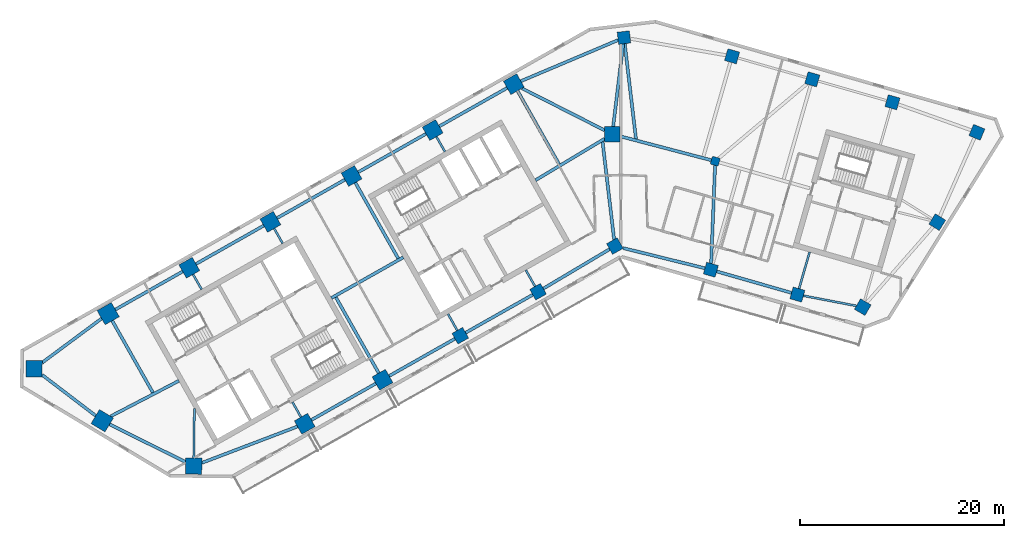
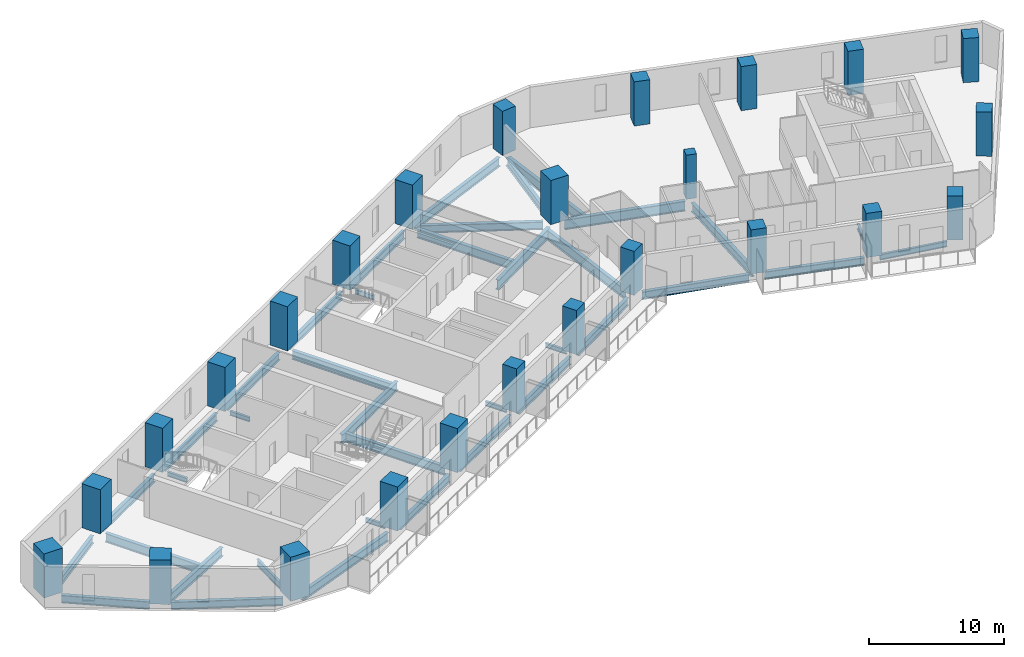
# One storey, part 1 of 9: 38 beams, 25 columns.
"""IFC4 building model written with IfcOpenShell, lengths in metres."""

import ifcopenshell
import ifcopenshell.guid

model = None  # the IFC model being written
_history = None  # IfcOwnerHistory: only IFC2X3 demands one
_inside = {}  # id of a spatial element -> (the spatial element, [elements in it])
_under = {}  # id of a project, library or spatial element -> (it, [spatial elements below it])
_declared = {}  # id of a project -> (the project, [libraries it declares])
_typed = {}  # id of a type object -> (the type object, [elements of that type])
_made_of = {}  # id of a material, layer set ... -> (it, [elements and type objects made of it])


def new_model(schema):
    """Start an empty IFC model of exactly this schema.

    Asked for "IFC4X3", IfcOpenShell would pick the latest addendum, in which some entities
    have other attributes; the version numbers below select the first issue.
    IFC2X3 requires an IfcOwnerHistory on every rooted entity: one is made here for all.
    """
    global model, _history
    if schema == "IFC4X3":
        model = ifcopenshell.file(schema_version=(4, 3, 0, 0))
    else:
        model = ifcopenshell.file(schema=schema)
    _inside.clear()
    _under.clear()
    _declared.clear()
    _typed.clear()
    _made_of.clear()
    _history = None
    if model.schema == "IFC2X3":
        org = make("IfcOrganization", Name="unknown")
        user = make(
            "IfcPersonAndOrganization",
            ThePerson=make("IfcPerson", FamilyName="unknown"),
            TheOrganization=org,
        )
        app = make(
            "IfcApplication",
            ApplicationDeveloper=org,
            Version="unknown",
            ApplicationFullName="unknown",
            ApplicationIdentifier="unknown",
        )
        _history = make(
            "IfcOwnerHistory",
            OwningUser=user,
            OwningApplication=app,
            ChangeAction="ADDED",
            CreationDate=0,
        )
    return model


def make(cls, **values):
    """One entity of the class cls with the attributes given. An attribute that is None is left unset."""
    return model.create_entity(
        cls, **{name: value for name, value in values.items() if value is not None}
    )


def rooted(cls, **values):
    """An entity with a GlobalId (a new one), such as an element, a storey or a relation."""
    return make(cls, GlobalId=ifcopenshell.guid.new(), OwnerHistory=_history, **values)


def si_unit(unit_type, name, prefix=None):
    """IfcSIUnit, for example si_unit("LENGTHUNIT", "METRE", prefix="MILLI")."""
    return make("IfcSIUnit", UnitType=unit_type, Prefix=prefix, Name=name)


def assignment(units):
    """IfcUnitAssignment: the units of a project."""
    return None if units is None else make("IfcUnitAssignment", Units=units)


def point(xyz):
    """IfcCartesianPoint."""
    return None if xyz is None else make("IfcCartesianPoint", Coordinates=xyz)


def direction(xyz):
    """IfcDirection."""
    return None if xyz is None else make("IfcDirection", DirectionRatios=xyz)


def frame(location, z_axis=None, x_axis=None):
    """IfcAxis2Placement3D, a coordinate frame: its origin and axes. An axis left out is left unset."""
    return make(
        "IfcAxis2Placement3D",
        Location=point(location),
        Axis=direction(z_axis),
        RefDirection=direction(x_axis),
    )


def frame_2d(location, x_axis=None):
    """IfcAxis2Placement2D, a coordinate frame in the plane: its origin and x axis."""
    return make(
        "IfcAxis2Placement2D", Location=point(location), RefDirection=direction(x_axis)
    )


def origin():
    """The frame at (0, 0, 0) with its axes left unset."""
    return frame((0.0, 0.0, 0.0))


def origin_2d():
    """The frame at (0, 0) in the plane with its x axis left unset."""
    return frame_2d((0.0, 0.0))


def place(relative_to, where):
    """IfcLocalPlacement: puts the frame where relative to a parent placement (None: the world)."""
    return make(
        "IfcLocalPlacement", PlacementRelTo=relative_to, RelativePlacement=where
    )


def context(
    kind, dimensions, precision=None, world=None, true_north=None, identifier=None
):
    """IfcGeometricRepresentationContext, for example the 3D "Model" context."""
    return make(
        "IfcGeometricRepresentationContext",
        ContextIdentifier=identifier,
        ContextType=kind,
        CoordinateSpaceDimension=dimensions,
        Precision=precision,
        WorldCoordinateSystem=world,
        TrueNorth=true_north,
    )


def subcontext(parent, identifier, kind, view, scale=None):
    """IfcGeometricRepresentationSubContext, for example "Body" below "Model"."""
    return make(
        "IfcGeometricRepresentationSubContext",
        ContextIdentifier=identifier,
        ContextType=kind,
        ParentContext=parent,
        TargetScale=scale,
        TargetView=view,
    )


def project(units=None, contexts=None):
    """IfcProject with its units and contexts."""
    return rooted(
        "IfcProject",
        Name="project",
        RepresentationContexts=contexts,
        UnitsInContext=assignment(units),
    )


def spatial(cls, under=None, at=None, **own):
    """A site, building, storey or space (cls), placed at a placement, below another one or the project."""
    s = rooted(cls, ObjectPlacement=at, **own)
    if under is not None:
        _under.setdefault(under.id(), (under, []))[1].append(s)
    return s


def profile(cls, at=None, kind="AREA", **sizes):
    """A parametric profile (cls). Its sizes go by their IFC names, for example OverallWidth=200.0."""
    return make(cls, ProfileType=kind, Position=at, **sizes)


def rectangle(**sizes):
    """IfcRectangleProfileDef."""
    return profile("IfcRectangleProfileDef", **sizes)


def i_section(**sizes):
    """IfcIShapeProfileDef."""
    return profile("IfcIShapeProfileDef", **sizes)


def extrude(swept, where, along, depth):
    """IfcExtrudedAreaSolid: the profile swept, set in the frame where, extruded along a direction by depth."""
    return make(
        "IfcExtrudedAreaSolid",
        SweptArea=swept,
        Position=where,
        ExtrudedDirection=direction(along),
        Depth=depth,
    )


def shape(context_of_items, identifier, shape_type, items):
    """IfcShapeRepresentation: the items that make up one representation, for example the "Body"."""
    return make(
        "IfcShapeRepresentation",
        ContextOfItems=context_of_items,
        RepresentationIdentifier=identifier,
        RepresentationType=shape_type,
        Items=items,
    )


def material(Name=None, Category=None):
    """IfcMaterial."""
    return make("IfcMaterial", Name=Name, Category=Category)


def material_profile(
    of_material, cross_section, Name=None, Category=None, Priority=None
):
    """IfcMaterialProfile: a cross section and its material."""
    return make(
        "IfcMaterialProfile",
        Name=Name,
        Material=of_material,
        Profile=cross_section,
        Priority=Priority,
        Category=Category,
    )


def profile_set(profiles, Name=None, composite=None):
    """IfcMaterialProfileSet."""
    return make(
        "IfcMaterialProfileSet",
        Name=Name,
        MaterialProfiles=profiles,
        CompositeProfile=composite,
    )


def made_of(thing, what):
    """Note that an element or type object is made of a material, layer set ...; save() writes the relation."""
    if what is not None:
        _made_of.setdefault(what.id(), (what, []))[1].append(thing)
    return thing


def type_object(cls, material=None, **own):
    """A type object (cls), such as IfcWallType, which elements share."""
    return made_of(rooted(cls, **own), material)


def element(
    cls,
    number,
    at=None,
    inside=None,
    cuts=None,
    type_object=None,
    material=None,
    context=None,
    identifier="Body",
    shape_type=None,
    held_by="IfcProductDefinitionShape",
    body=None,
    shapes=None,
    **own,
):
    """One element of the class cls, such as IfcWall. Its Tag is "e" and its number.

    at: its placement. inside: the storey or other place that contains it. cuts: it is an
    opening in that element (IfcRelVoidsElement). A single representation is given by context,
    identifier, shape_type and body (its items); several are given by shapes. held_by: the class
    of the entity that holds the representations. save() writes the other relations.
    """
    e = rooted(cls, Tag="e%d" % number, ObjectPlacement=at, **own)
    if body is not None:
        shapes = [shape(context, identifier, shape_type, body)]
    if shapes is not None:
        e.Representation = make(held_by, Representations=shapes)
    if inside is not None:
        _inside.setdefault(inside.id(), (inside, []))[1].append(e)
    if cuts is not None:
        rooted(
            "IfcRelVoidsElement", RelatingBuildingElement=cuts, RelatedOpeningElement=e
        )
    if type_object is not None:
        _typed.setdefault(type_object.id(), (type_object, []))[1].append(e)
    return made_of(e, material)


def aggregate(whole, parts):
    """IfcRelAggregates: a whole, such as a stair, and the parts it consists of."""
    return rooted("IfcRelAggregates", RelatingObject=whole, RelatedObjects=parts)


def save(model, path):
    """Write the relations noted so far, then the file.

    IfcRelAggregates (storeys below a building ...), IfcRelContainedInSpatialStructure (elements
    in a storey), IfcRelDefinesByType, IfcRelAssociatesMaterial and IfcRelDeclares: one each for
    every whole, place, type object, material and project.
    """
    for whole, parts in _under.values():
        aggregate(whole, parts)
    for where, things in _inside.values():
        rooted(
            "IfcRelContainedInSpatialStructure",
            RelatedElements=things,
            RelatingStructure=where,
        )
    for kind, things in _typed.values():
        rooted("IfcRelDefinesByType", RelatedObjects=things, RelatingType=kind)
    for what, things in _made_of.values():
        rooted("IfcRelAssociatesMaterial", RelatedObjects=things, RelatingMaterial=what)
    for by, libraries in _declared.values():
        rooted("IfcRelDeclares", RelatingContext=by, RelatedDefinitions=libraries)
    model.write(path)


model = new_model("IFC4")

# Units and contexts
model_context = context("Model", 3, precision=1e-05, world=origin(), true_north=direction((0.0, 1.0)))
body_context = subcontext(model_context, "Body", "Model", "MODEL_VIEW")
ifc_project = project(units=[si_unit("LENGTHUNIT", "METRE"), si_unit("AREAUNIT", "SQUARE_METRE"), si_unit("VOLUMEUNIT", "CUBIC_METRE"), si_unit("PLANEANGLEUNIT", "RADIAN"), si_unit("MASSUNIT", "GRAM", prefix="KILO")], contexts=[model_context])

# Site, building, storey
site_placement = place(None, origin())
site = spatial("IfcSite", under=ifc_project, at=site_placement, CompositionType="ELEMENT")
building_placement = place(site_placement, origin())
building = spatial("IfcBuilding", under=site, at=building_placement, Name="Binnacle Exchange Tower", CompositionType="ELEMENT")
storey_placement = place(building_placement, frame((0.0, 0.0, 158.89990234375)))
storey = spatial("IfcBuildingStorey", under=building, at=storey_placement, Name="L33", CompositionType="ELEMENT", Elevation=158.89990234375)

# Columns
ifc_material_1 = material(Name="Concrete C60/75", Category="concrete")
ifc_material_profile_1 = material_profile(ifc_material_1, rectangle(XDim=0.800048828125, YDim=0.800048828125, at=origin_2d()), Name="Column 800x800 C60/75")
ifc_profile_set_1 = profile_set([ifc_material_profile_1], Name="Concrete C60/75")
column_type_1 = type_object("IfcColumnType", Name="Column 800x800 C60/75", PredefinedType="COLUMN", material=ifc_profile_set_1)
column_placement = place(storey_placement, frame((9.240966796875, 57.35009765625, 0.0), z_axis=(0.0, 0.0, 1.0), x_axis=(0.961261695938, -0.275637355817, 0.0)))
element("IfcColumn", 1, at=column_placement, inside=storey, type_object=column_type_1, Name="S:COL:C19:L33", PredefinedType="COLUMN", context=body_context, shape_type="SweptSolid", body=[
    extrude(rectangle(XDim=0.800048828125, YDim=0.800048828125, at=origin_2d()), origin(), (0.0, 0.0, 1.0), 4.0),
])
ifc_material_2 = material(Name="Concrete C70/85", Category="concrete")
ifc_material_profile_2 = material_profile(ifc_material_2, rectangle(XDim=1.199951171875, YDim=1.199951171875, at=origin_2d()), Name="Mega column 1200x1200 C70/85")
ifc_profile_set_2 = profile_set([ifc_material_profile_2], Name="Concrete C70/85")
column_type_2 = type_object("IfcColumnType", Name="Mega column 1200x1200 C70/85", PredefinedType="COLUMN", material=ifc_profile_set_2)
for number, where, z_axis, x_axis, name in (
    (2, (26.602783203125, 63.12353515625, 0.0), (0.0, 0.0, 1.0), (-0.961261695938, 0.275637355817, 0.0), "S:COL:MC52:L33"),
    (3, (18.746337890625, 65.376220703125, 0.0), (0.0, 0.0, 1.0), (-0.961261695938, 0.275637355817, 0.0), "S:COL:MC50:L33"),
    (4, (10.889892578125, 67.62890625, 0.0), (0.0, 0.0, 1.0), (-0.961261695938, 0.275637355817, 0.0), "S:COL:MC48:L33"),
    (5, (0.300048828125, 69.464111328125, 0.0), (0.0, 0.0, 1.0), (-0.993068456955, -0.117537397458, 0.0), "S:COL:MC47:L33"),
    (6, (-15.736328125, 40.257080078125, 0.0), (0.0, 0.0, 1.0), (0.87035569594, 0.492423560103, 0.0), "S:COL:MC24:L33"),
    (7, (-8.116943359375, 44.568115234375, 0.0), (0.0, 0.0, 1.0), (0.87035569594, 0.492423560103, 0.0), "S:COL:MC35:L33"),
    (8, (-0.5908203125, 49.04443359375, 0.0), (0.0, 0.0, 1.0), (0.87035569594, 0.492423560103, 0.0), "S:COL:MC46:L33"),
    (9, (8.8095703125, 46.722412109375, 0.0), (0.0, 0.0, 1.0), (0.961261695938, -0.275637355817, 0.0), "S:COL:MC49:L33"),
    (10, (17.2880859375, 44.291015625, 0.0), (0.0, 0.0, 1.0), (0.961261695938, -0.275637355817, 0.0), "S:COL:MC51:L33"),
    (11, (23.690185546875, 43.062744140625, 0.0), (0.0, 0.0, 1.0), (-0.86532642813, 0.501208711795, 0.0), "S:COL:MC53:L33"),
    (12, (30.989501953125, 51.38623046875, 0.0), (0.0, 0.0, 1.0), (0.529919264233, 0.848048096156, 0.0), "S:COL:MC55:L33"),
    (13, (34.870361328125, 60.18701171875, 0.0), (0.0, 0.0, 1.0), (-0.922814001807, 0.385245789164, 0.0), "S:COL:MC54:L33"),
):
    element("IfcColumn", number, at=place(storey_placement, frame(where, z_axis=z_axis, x_axis=x_axis)), inside=storey, type_object=column_type_2, Name=name, PredefinedType="COLUMN", context=body_context, shape_type="SweptSolid", body=[
        extrude(rectangle(XDim=1.199951171875, YDim=1.199951171875, at=origin_2d()), origin(), (0.0, 0.0, 1.0), 4.0),
    ])
ifc_material_profile_3 = material_profile(ifc_material_2, rectangle(XDim=1.5, YDim=1.5, at=origin_2d()), Name="Mega column 1500x1500 C70/85")
ifc_profile_set_3 = profile_set([ifc_material_profile_3], Name="Concrete C70/85")
column_type_3 = type_object("IfcColumnType", Name="Mega column 1500x1500 C70/85", PredefinedType="COLUMN", material=ifc_profile_set_3)
for number, where, z_axis, x_axis, name in (
    (14, (-10.4951171875, 64.901611328125, 0.0), (0.0, 0.0, 1.0), (-0.87035569594, -0.492423560103, 0.0), "S:COL:MC38:L33"),
    (15, (-18.44140625, 60.406005859375, 0.0), (0.0, 0.0, 1.0), (-0.87035569594, -0.492423560103, 0.0), "S:COL:MC29:L33"),
    (16, (-26.3876953125, 55.91015625, 0.0), (0.0, 0.0, 1.0), (-0.87035569594, -0.492423560103, 0.0), "S:COL:MC21:L33"),
    (17, (-34.333740234375, 51.414306640625, 0.0), (0.0, 0.0, 1.0), (-0.87035569594, -0.492423560103, 0.0), "S:COL:MC13:L33"),
    (18, (-42.280029296875, 46.918701171875, 0.0), (0.0, 0.0, 1.0), (-0.87035569594, -0.492423560103, 0.0), "S:COL:MC08:L33"),
    (19, (-30.9755859375, 31.63525390625, 0.0), (0.0, 0.0, 1.0), (0.87035569594, 0.492423560103, 0.0), "S:COL:MC07:L33"),
    (20, (-23.35595703125, 35.9462890625, 0.0), (0.0, 0.0, 1.0), (0.87035569594, 0.492423560103, 0.0), "S:COL:MC16:L33"),
    (21, (-0.85009765625, 60.0, 0.0), (0.0, 0.0, 1.0), (0.0, 1.0, 0.0), "S:COL:MC45:L33"),
):
    element("IfcColumn", number, at=place(storey_placement, frame(where, z_axis=z_axis, x_axis=x_axis)), inside=storey, type_object=column_type_3, Name=name, PredefinedType="COLUMN", context=body_context, shape_type="SweptSolid", body=[
        extrude(rectangle(XDim=1.5, YDim=1.5, at=origin_2d()), origin(), (0.0, 0.0, 1.0), 4.0),
    ])
ifc_material_profile_4 = material_profile(ifc_material_2, rectangle(XDim=1.60009765625, YDim=1.60009765625, at=origin_2d()), Name="Mega column 1600x1600 C70/85")
ifc_profile_set_4 = profile_set([ifc_material_profile_4], Name="Concrete C70/85")
column_type_4 = type_object("IfcColumnType", Name="Mega column 1600x1600 C70/85", PredefinedType="COLUMN", material=ifc_profile_set_4)
for number, where, z_axis, x_axis, name in (
    (22, (-50.226318359375, 42.4228515625, 0.0), (0.0, 0.0, 1.0), (-0.87035569594, -0.492423560103, 0.0), "S:COL:MC04:L33"),
    (23, (-57.492919921875, 37.02734375, 0.0), (0.0, 0.0, 1.0), (-0.013089595571, -0.999914327574, 0.0), "S:COL:MC02:L33"),
    (24, (-50.81201171875, 31.930908203125, 0.0), (0.0, 0.0, 1.0), (0.857167300702, -0.51503807491, 0.0), "S:COL:MC01:L33"),
    (25, (-41.857666015625, 27.494873046875, 0.0), (0.0, 0.0, 1.0), (0.999914327574, -0.013089595571, 0.0), "S:COL:MC03:L33"),
):
    element("IfcColumn", number, at=place(storey_placement, frame(where, z_axis=z_axis, x_axis=x_axis)), inside=storey, type_object=column_type_4, Name=name, PredefinedType="COLUMN", context=body_context, shape_type="SweptSolid", body=[
        extrude(rectangle(XDim=1.60009765625, YDim=1.60009765625, at=origin_2d()), origin(), (0.0, 0.0, 1.0), 4.0),
    ])

# Beams
ifc_material_3 = material(Name="Steel S355 (SHN355)", Category="steel")
ifc_material_profile_5 = material_profile(ifc_material_3, i_section(OverallWidth=0.200927734375, OverallDepth=0.506103515625, WebThickness=0.010986328125, FlangeThickness=0.01904296875, FilletRadius=0.02001953125, at=origin_2d()), Name="H 506x201x11x19")
ifc_profile_set_5 = profile_set([ifc_material_profile_5], Name="Steel S355 (SHN355)")
beam_type_1 = type_object("IfcBeamType", Name="Edge girder H 506x201x11x19 Steel S355 (SHN355)", PredefinedType="SPANDREL", material=ifc_profile_set_5)
beam_1_placement = place(storey_placement, frame((17.8798828125, 44.177490234375, -0.572998046875), z_axis=(0.982085171807, -0.188437563446, 0.0), x_axis=(0.188437563446, 0.982085171807, 0.0)))
element("IfcBeam", 26, at=beam_1_placement, inside=storey, type_object=beam_type_1, Name="S:BM:edge:L33:028", PredefinedType="SPANDREL", context=body_context, shape_type="SweptSolid", body=[
    extrude(i_section(OverallWidth=0.200927734375, OverallDepth=0.506103515625, WebThickness=0.010986328125, FlangeThickness=0.01904296875, FilletRadius=0.02001953125, at=origin_2d()), origin(), (0.0, 0.0, 1.0), 5.281005859375),
])
ifc_material_profile_6 = material_profile(ifc_material_3, i_section(OverallWidth=0.300048828125, OverallDepth=0.699951171875, WebThickness=0.012939453125, FlangeThickness=0.02392578125, FilletRadius=0.028076171875, at=origin_2d()), Name="H 700x300x13x24")
ifc_profile_set_6 = profile_set([ifc_material_profile_6], Name="Steel S355 (SHN355)")
beam_type_2 = type_object("IfcBeamType", Name="Edge girder H 700x300x13x24 Steel S355 (SHN355)", PredefinedType="SPANDREL", material=ifc_profile_set_6)
beam_2_placement = place(storey_placement, frame((-56.70068359375, 36.423095703125, -0.669921875), z_axis=(0.795078424379, -0.606506635649, 0.0), x_axis=(0.606506635649, 0.795078424379, 0.0)))
element("IfcBeam", 27, at=beam_2_placement, inside=storey, type_object=beam_type_2, Name="S:BM:edge:L33:011", PredefinedType="SPANDREL", context=body_context, shape_type="SweptSolid", body=[
    extrude(i_section(OverallWidth=0.300048828125, OverallDepth=0.699951171875, WebThickness=0.012939453125, FlangeThickness=0.02392578125, FilletRadius=0.028076171875, at=origin_2d()), origin(), (0.0, 0.0, 1.0), 6.6015625),
])
beam_3_placement = place(storey_placement, frame((-50.87353515625, 41.9423828125, -0.669921875), z_axis=(-0.802872533272, -0.596150732044, 0.0), x_axis=(0.596150732044, -0.802872533272, 0.0)))
element("IfcBeam", 28, at=beam_3_placement, inside=storey, type_object=beam_type_2, Name="S:BM:edge:L33:012", PredefinedType="SPANDREL", context=body_context, shape_type="SweptSolid", body=[
    extrude(i_section(OverallWidth=0.300048828125, OverallDepth=0.699951171875, WebThickness=0.012939453125, FlangeThickness=0.02392578125, FilletRadius=0.028076171875, at=origin_2d()), origin(), (0.0, 0.0, 1.0), 7.238525390625),
])
beam_4_placement = place(storey_placement, frame((-50.0927734375, 31.57470703125, -0.669921875), z_axis=(0.896061869104, -0.443929191131, 0.0), x_axis=(0.443929191131, 0.896061869104, 0.0)))
element("IfcBeam", 29, at=beam_4_placement, inside=storey, type_object=beam_type_2, Name="S:BM:edge:L33:013", PredefinedType="SPANDREL", context=body_context, shape_type="SweptSolid", body=[
    extrude(i_section(OverallWidth=0.300048828125, OverallDepth=0.699951171875, WebThickness=0.012939453125, FlangeThickness=0.02392578125, FilletRadius=0.028076171875, at=origin_2d()), origin(), (0.0, 0.0, 1.0), 8.30322265625),
])
beam_5_placement = place(storey_placement, frame((-42.932861328125, 46.54931640625, -0.669921875), z_axis=(-0.870352192811, -0.492429751811, 0.0), x_axis=(0.492429751811, -0.870352192811, 0.0)))
element("IfcBeam", 30, at=beam_5_placement, inside=storey, type_object=beam_type_2, Name="S:BM:edge:L33:014", PredefinedType="SPANDREL", context=body_context, shape_type="SweptSolid", body=[
    extrude(i_section(OverallWidth=0.300048828125, OverallDepth=0.699951171875, WebThickness=0.012939453125, FlangeThickness=0.02392578125, FilletRadius=0.028076171875, at=origin_2d()), origin(), (0.0, 0.0, 1.0), 7.57958984375),
])
beam_6_placement = place(storey_placement, frame((-34.986572265625, 51.045166015625, -0.669921875), z_axis=(-0.870355964277, -0.492423085818, 0.0), x_axis=(0.492423085818, -0.870355964277, 0.0)))
element("IfcBeam", 31, at=beam_6_placement, inside=storey, type_object=beam_type_2, Name="S:BM:edge:L33:016", PredefinedType="SPANDREL", context=body_context, shape_type="SweptSolid", body=[
    extrude(i_section(OverallWidth=0.300048828125, OverallDepth=0.699951171875, WebThickness=0.012939453125, FlangeThickness=0.02392578125, FilletRadius=0.028076171875, at=origin_2d()), origin(), (0.0, 0.0, 1.0), 7.6298828125),
])
beam_7_placement = place(storey_placement, frame((-30.32275390625, 32.004638671875, -0.669921875), z_axis=(0.870355920795, 0.492423162674, 0.0), x_axis=(-0.492423162674, 0.870355920795, 0.0)))
element("IfcBeam", 32, at=beam_7_placement, inside=storey, type_object=beam_type_2, Name="S:BM:edge:L33:017", PredefinedType="SPANDREL", context=body_context, shape_type="SweptSolid", body=[
    extrude(i_section(OverallWidth=0.300048828125, OverallDepth=0.699951171875, WebThickness=0.012939453125, FlangeThickness=0.02392578125, FilletRadius=0.028076171875, at=origin_2d()), origin(), (0.0, 0.0, 1.0), 7.25439453125),
])
beam_8_placement = place(storey_placement, frame((-27.040283203125, 55.541015625, -0.669921875), z_axis=(-0.870342250182, -0.492447324643, 0.0), x_axis=(0.492447324643, -0.870342250182, 0.0)))
element("IfcBeam", 33, at=beam_8_placement, inside=storey, type_object=beam_type_2, Name="S:BM:edge:L33:018", PredefinedType="SPANDREL", context=body_context, shape_type="SweptSolid", body=[
    extrude(i_section(OverallWidth=0.300048828125, OverallDepth=0.699951171875, WebThickness=0.012939453125, FlangeThickness=0.02392578125, FilletRadius=0.028076171875, at=origin_2d()), origin(), (0.0, 0.0, 1.0), 7.6298828125),
])
beam_9_placement = place(storey_placement, frame((-22.703125, 36.3154296875, -0.669921875), z_axis=(0.87035151347, 0.49243095252, 0.0), x_axis=(-0.49243095252, 0.87035151347, 0.0)))
element("IfcBeam", 34, at=beam_9_placement, inside=storey, type_object=beam_type_2, Name="S:BM:edge:L33:019", PredefinedType="SPANDREL", context=body_context, shape_type="SweptSolid", body=[
    extrude(i_section(OverallWidth=0.300048828125, OverallDepth=0.699951171875, WebThickness=0.012939453125, FlangeThickness=0.02392578125, FilletRadius=0.028076171875, at=origin_2d()), origin(), (0.0, 0.0, 1.0), 7.404541015625),
])
beam_10_placement = place(storey_placement, frame((-19.093994140625, 60.03662109375, -0.669921875), z_axis=(-0.870363722936, -0.492409372165, 0.0), x_axis=(0.492409372165, -0.870363722936, 0.0)))
element("IfcBeam", 35, at=beam_10_placement, inside=storey, type_object=beam_type_2, Name="S:BM:edge:L33:020", PredefinedType="SPANDREL", context=body_context, shape_type="SweptSolid", body=[
    extrude(i_section(OverallWidth=0.300048828125, OverallDepth=0.699951171875, WebThickness=0.012939453125, FlangeThickness=0.02392578125, FilletRadius=0.028076171875, at=origin_2d()), origin(), (0.0, 0.0, 1.0), 7.6298828125),
])
beam_11_placement = place(storey_placement, frame((-15.214111328125, 40.552734375, -0.669921875), z_axis=(0.870353295418, 0.492427802988, 0.0), x_axis=(-0.492427802988, 0.870353295418, 0.0)))
element("IfcBeam", 36, at=beam_11_placement, inside=storey, type_object=beam_type_2, Name="S:BM:edge:L33:021", PredefinedType="SPANDREL", context=body_context, shape_type="SweptSolid", body=[
    extrude(i_section(OverallWidth=0.300048828125, OverallDepth=0.699951171875, WebThickness=0.012939453125, FlangeThickness=0.02392578125, FilletRadius=0.028076171875, at=origin_2d()), origin(), (0.0, 0.0, 1.0), 7.554443359375),
])
beam_12_placement = place(storey_placement, frame((-11.14794921875, 64.532470703125, -0.669921875), z_axis=(-0.870355964277, -0.492423085818, 0.0), x_axis=(0.492423085818, -0.870355964277, 0.0)))
element("IfcBeam", 37, at=beam_12_placement, inside=storey, type_object=beam_type_2, Name="S:BM:edge:L33:022", PredefinedType="SPANDREL", context=body_context, shape_type="SweptSolid", body=[
    extrude(i_section(OverallWidth=0.300048828125, OverallDepth=0.699951171875, WebThickness=0.012939453125, FlangeThickness=0.02392578125, FilletRadius=0.028076171875, at=origin_2d()), origin(), (0.0, 0.0, 1.0), 7.6298828125),
])
beam_13_placement = place(storey_placement, frame((-7.60107421875, 44.875, -0.669921875), z_axis=(0.85946222832, 0.511199254783, 0.0), x_axis=(-0.511199254783, 0.85946222832, 0.0)))
element("IfcBeam", 38, at=beam_13_placement, inside=storey, type_object=beam_type_2, Name="S:BM:edge:L33:023", PredefinedType="SPANDREL", context=body_context, shape_type="SweptSolid", body=[
    extrude(i_section(OverallWidth=0.300048828125, OverallDepth=0.699951171875, WebThickness=0.012939453125, FlangeThickness=0.02392578125, FilletRadius=0.028076171875, at=origin_2d()), origin(), (0.0, 0.0, 1.0), 7.556396484375),
])
beam_14_placement = place(storey_placement, frame((0.21044921875, 48.846435546875, -0.669921875), z_axis=(0.970817017645, -0.239821429924, 0.0), x_axis=(0.239821429924, 0.970817017645, 0.0)))
element("IfcBeam", 39, at=beam_14_placement, inside=storey, type_object=beam_type_2, Name="S:BM:edge:L33:025", PredefinedType="SPANDREL", context=body_context, shape_type="SweptSolid", body=[
    extrude(i_section(OverallWidth=0.300048828125, OverallDepth=0.699951171875, WebThickness=0.012939453125, FlangeThickness=0.02392578125, FilletRadius=0.028076171875, at=origin_2d()), origin(), (0.0, 0.0, 1.0), 8.257080078125),
])
beam_15_placement = place(storey_placement, frame((9.38623046875, 46.556884765625, -0.669921875), z_axis=(0.961266012815, -0.275622300635, 0.0), x_axis=(0.275622300635, 0.961266012815, 0.0)))
element("IfcBeam", 40, at=beam_15_placement, inside=storey, type_object=beam_type_2, Name="S:BM:edge:L33:026", PredefinedType="SPANDREL", context=body_context, shape_type="SweptSolid", body=[
    extrude(i_section(OverallWidth=0.300048828125, OverallDepth=0.699951171875, WebThickness=0.012939453125, FlangeThickness=0.02392578125, FilletRadius=0.028076171875, at=origin_2d()), origin(), (0.0, 0.0, 1.0), 7.620361328125),
])
ifc_material_profile_7 = material_profile(ifc_material_3, i_section(OverallWidth=0.300048828125, OverallDepth=0.800048828125, WebThickness=0.013916015625, FlangeThickness=0.02587890625, FilletRadius=0.028076171875, at=origin_2d()), Name="H 800x300x14x26")
ifc_profile_set_7 = profile_set([ifc_material_profile_7], Name="Steel S355 (SHN355)")
beam_type_3 = type_object("IfcBeamType", Name="Edge girder H 800x300x14x26 Steel S355 (SHN355)", PredefinedType="SPANDREL", material=ifc_profile_set_7)
beam_16_placement = place(storey_placement, frame((-41.0537109375, 27.80078125, -0.719970703125), z_axis=(0.934633884233, 0.355611448695, 0.0), x_axis=(-0.355611448695, 0.934633884233, 0.0)))
element("IfcBeam", 41, at=beam_16_placement, inside=storey, type_object=beam_type_3, Name="S:BM:edge:L33:015", PredefinedType="SPANDREL", context=body_context, shape_type="SweptSolid", body=[
    extrude(i_section(OverallWidth=0.300048828125, OverallDepth=0.800048828125, WebThickness=0.013916015625, FlangeThickness=0.02587890625, FilletRadius=0.028076171875, at=origin_2d()), origin(), (0.0, 0.0, 1.0), 10.024169921875),
])
beam_17_placement = place(storey_placement, frame((-0.275390625, 69.220947265625, -0.719970703125), z_axis=(-0.921111875234, -0.389297974953, 0.0), x_axis=(0.389297974953, -0.921111875234, 0.0)))
element("IfcBeam", 42, at=beam_17_placement, inside=storey, type_object=beam_type_3, Name="S:BM:edge:L33:024", PredefinedType="SPANDREL", context=body_context, shape_type="SweptSolid", body=[
    extrude(i_section(OverallWidth=0.300048828125, OverallDepth=0.800048828125, WebThickness=0.013916015625, FlangeThickness=0.02587890625, FilletRadius=0.028076171875, at=origin_2d()), origin(), (0.0, 0.0, 1.0), 10.340087890625),
])
ifc_material_profile_8 = material_profile(ifc_material_3, i_section(OverallWidth=0.199951171875, OverallDepth=0.39990234375, WebThickness=0.008056640625, FlangeThickness=0.012939453125, FilletRadius=0.01611328125, at=origin_2d()), Name="H 400x200x8x13")
ifc_profile_set_8 = profile_set([ifc_material_profile_8], Name="Steel S355 (SHN355)")
beam_type_4 = type_object("IfcBeamType", Name="Floor beam H 400x200x8x13 Steel S355 (SHN355)", PredefinedType="BEAM", material=ifc_profile_set_8)
beam_18_placement = place(storey_placement, frame((-41.91064453125, 46.265869140625, -0.52001953125), z_axis=(0.49243456751, -0.870349468157, 0.0), x_axis=(0.870349468157, 0.49243456751, 0.0)))
element("IfcBeam", 43, at=beam_18_placement, inside=storey, type_object=beam_type_4, Name="S:BM:cross:L33:035", PredefinedType="BEAM", context=body_context, shape_type="SweptSolid", body=[
    extrude(i_section(OverallWidth=0.199951171875, OverallDepth=0.39990234375, WebThickness=0.008056640625, FlangeThickness=0.012939453125, FilletRadius=0.01611328125, at=origin_2d()), origin(), (0.0, 0.0, 1.0), 1.68408203125),
])
beam_19_placement = place(storey_placement, frame((-33.964599609375, 50.76171875, -0.52001953125), z_axis=(0.492482237839, -0.870322495063, 0.0), x_axis=(0.870322495063, 0.492482237839, 0.0)))
element("IfcBeam", 44, at=beam_19_placement, inside=storey, type_object=beam_type_4, Name="S:BM:cross:L33:037", PredefinedType="BEAM", context=body_context, shape_type="SweptSolid", body=[
    extrude(i_section(OverallWidth=0.199951171875, OverallDepth=0.39990234375, WebThickness=0.008056640625, FlangeThickness=0.012939453125, FilletRadius=0.01611328125, at=origin_2d()), origin(), (0.0, 0.0, 1.0), 1.6845703125),
])
for number, where, z_axis, x_axis, name in (
    (45, (-31.344970703125, 32.2880859375, -0.52001953125), (-0.49243456751, 0.870349468157, 0.0), (-0.870349468157, -0.49243456751, 0.0), "S:BM:cross:L33:038"),
    (46, (-18.072021484375, 59.753173828125, -0.52001953125), (0.49243456751, -0.870349468157, 0.0), (0.870349468157, 0.49243456751, 0.0), "S:BM:cross:L33:041"),
):
    element("IfcBeam", number, at=place(storey_placement, frame(where, z_axis=z_axis, x_axis=x_axis)), inside=storey, type_object=beam_type_4, Name=name, PredefinedType="BEAM", context=body_context, shape_type="SweptSolid", body=[
        extrude(i_section(OverallWidth=0.199951171875, OverallDepth=0.39990234375, WebThickness=0.008056640625, FlangeThickness=0.012939453125, FilletRadius=0.01611328125, at=origin_2d()), origin(), (0.0, 0.0, 1.0), 1.68408203125),
    ])
beam_20_placement = place(storey_placement, frame((-16.031982421875, 40.779296875, -0.52001953125), z_axis=(-0.492307212856, 0.870421511781, 0.0), x_axis=(-0.870421511781, -0.492307212856, 0.0)))
element("IfcBeam", 47, at=beam_20_placement, inside=storey, type_object=beam_type_4, Name="S:BM:cross:L33:042", PredefinedType="BEAM", context=body_context, shape_type="SweptSolid", body=[
    extrude(i_section(OverallWidth=0.199951171875, OverallDepth=0.39990234375, WebThickness=0.008056640625, FlangeThickness=0.012939453125, FilletRadius=0.01611328125, at=origin_2d()), origin(), (0.0, 0.0, 1.0), 1.83447265625),
])
beam_21_placement = place(storey_placement, frame((-8.412353515625, 45.09033203125, -0.52001953125), z_axis=(-0.492465079532, 0.87033220407, 0.0), x_axis=(-0.87033220407, -0.492465079532, 0.0)))
element("IfcBeam", 48, at=beam_21_placement, inside=storey, type_object=beam_type_4, Name="S:BM:cross:L33:044", PredefinedType="BEAM", context=body_context, shape_type="SweptSolid", body=[
    extrude(i_section(OverallWidth=0.199951171875, OverallDepth=0.39990234375, WebThickness=0.008056640625, FlangeThickness=0.012939453125, FilletRadius=0.01611328125, at=origin_2d()), origin(), (0.0, 0.0, 1.0), 1.834228515625),
])
ifc_material_profile_9 = material_profile(ifc_material_3, i_section(OverallWidth=0.199951171875, OverallDepth=0.5, WebThickness=0.010009765625, FlangeThickness=0.01611328125, FilletRadius=0.02001953125, at=origin_2d()), Name="H 500x200x10x16")
ifc_profile_set_9 = profile_set([ifc_material_profile_9], Name="Steel S355 (SHN355)")
beam_type_5 = type_object("IfcBeamType", Name="Floor beam H 500x200x10x16 Steel S355 (SHN355)", PredefinedType="BEAM", material=ifc_profile_set_9)
beam_22_placement = place(storey_placement, frame((17.45361328125, 44.867919921875, -0.56982421875), z_axis=(0.275644746045, 0.961259576794, 0.0), x_axis=(-0.961259576794, 0.275644746045, 0.0)))
element("IfcBeam", 49, at=beam_22_placement, inside=storey, type_object=beam_type_5, Name="S:BM:cross:L33:049", PredefinedType="BEAM", context=body_context, shape_type="SweptSolid", body=[
    extrude(i_section(OverallWidth=0.199951171875, OverallDepth=0.5, WebThickness=0.010009765625, FlangeThickness=0.01611328125, FilletRadius=0.02001953125, at=origin_2d()), origin(), (0.0, 0.0, 1.0), 3.735107421875),
])
ifc_material_profile_10 = material_profile(ifc_material_3, i_section(OverallWidth=0.200927734375, OverallDepth=0.60595703125, WebThickness=0.011962890625, FlangeThickness=0.02001953125, FilletRadius=0.02197265625, at=origin_2d()), Name="H 606x201x12x20")
ifc_profile_set_10 = profile_set([ifc_material_profile_10], Name="Steel S355 (SHN355)")
beam_type_6 = type_object("IfcBeamType", Name="Floor beam H 606x201x12x20 Steel S355 (SHN355)", PredefinedType="BEAM", material=ifc_profile_set_10)
beam_23_placement = place(storey_placement, frame((-41.84716796875, 28.294677734375, -0.622802734375), z_axis=(0.013085908175, 0.999914375838, 0.0), x_axis=(-0.999914375838, 0.013085908175, 0.0)))
element("IfcBeam", 50, at=beam_23_placement, inside=storey, type_object=beam_type_6, Name="S:BM:cross:L33:036", PredefinedType="BEAM", context=body_context, shape_type="SweptSolid", body=[
    extrude(i_section(OverallWidth=0.200927734375, OverallDepth=0.60595703125, WebThickness=0.011962890625, FlangeThickness=0.02001953125, FilletRadius=0.02197265625, at=origin_2d()), origin(), (0.0, 0.0, 1.0), 4.850830078125),
])
ifc_material_profile_11 = material_profile(ifc_material_3, i_section(OverallWidth=0.302001953125, OverallDepth=0.80810546875, WebThickness=0.01611328125, FlangeThickness=0.030029296875, FilletRadius=0.028076171875, at=origin_2d()), Name="H 808x302x16x30")
ifc_profile_set_11 = profile_set([ifc_material_profile_11], Name="Steel S355 (SHN355)")
beam_type_7 = type_object("IfcBeamType", Name="Floor beam H 808x302x16x30 Steel S355 (SHN355)", PredefinedType="BEAM", material=ifc_profile_set_11)
beam_24_placement = place(storey_placement, frame((-49.832275390625, 41.7265625, -0.723876953125), z_axis=(0.492430056331, -0.870352020519, 0.0), x_axis=(0.870352020519, 0.492430056331, 0.0)))
element("IfcBeam", 51, at=beam_24_placement, inside=storey, type_object=beam_type_7, Name="S:BM:cross:L33:034", PredefinedType="BEAM", context=body_context, shape_type="SweptSolid", body=[
    extrude(i_section(OverallWidth=0.302001953125, OverallDepth=0.80810546875, WebThickness=0.01611328125, FlangeThickness=0.030029296875, FilletRadius=0.028076171875, at=origin_2d()), origin(), (0.0, 0.0, 1.0), 8.09130859375),
])
for number, where, z_axis, x_axis, name in (
    (52, (-26.018310546875, 55.25732421875, -0.723876953125), (0.4924220214, -0.870356566495, 0.0), (0.870356566495, 0.4924220214, 0.0), "S:BM:cross:L33:039"),
    (53, (-23.725341796875, 36.59912109375, -0.723876953125), (-0.4924220214, 0.870356566495, 0.0), (-0.870356566495, -0.4924220214, 0.0), "S:BM:cross:L33:040"),
):
    element("IfcBeam", number, at=place(storey_placement, frame(where, z_axis=z_axis, x_axis=x_axis)), inside=storey, type_object=beam_type_7, Name=name, PredefinedType="BEAM", context=body_context, shape_type="SweptSolid", body=[
        extrude(i_section(OverallWidth=0.302001953125, OverallDepth=0.80810546875, WebThickness=0.01611328125, FlangeThickness=0.030029296875, FilletRadius=0.028076171875, at=origin_2d()), origin(), (0.0, 0.0, 1.0), 8.5341796875),
    ])
beam_25_placement = place(storey_placement, frame((-10.125732421875, 64.248779296875, -0.723876953125), z_axis=(0.492423973828, -0.870355461866, 0.0), x_axis=(0.870355461866, 0.492423973828, 0.0)))
element("IfcBeam", 54, at=beam_25_placement, inside=storey, type_object=beam_type_7, Name="S:BM:cross:L33:043", PredefinedType="BEAM", context=body_context, shape_type="SweptSolid", body=[
    extrude(i_section(OverallWidth=0.302001953125, OverallDepth=0.80810546875, WebThickness=0.01611328125, FlangeThickness=0.030029296875, FilletRadius=0.028076171875, at=origin_2d()), origin(), (0.0, 0.0, 1.0), 8.269287109375),
])
ifc_material_profile_12 = material_profile(ifc_material_3, i_section(OverallWidth=0.302001953125, OverallDepth=0.912109375, WebThickness=0.01806640625, FlangeThickness=0.033935546875, FilletRadius=0.028076171875, at=origin_2d()), Name="H 912x302x18x34")
ifc_profile_set_12 = profile_set([ifc_material_profile_12], Name="Steel S355 (SHN355)")
beam_type_8 = type_object("IfcBeamType", Name="Floor beam H 912x302x18x34 Steel S355 (SHN355)", PredefinedType="BEAM", material=ifc_profile_set_12)
beam_26_placement = place(storey_placement, frame((-0.66748046875, 49.690673828125, -0.77587890625), z_axis=(-0.117518220547, 0.993070726504, 0.0), x_axis=(-0.993070726504, -0.117518220547, 0.0)))
element("IfcBeam", 55, at=beam_26_placement, inside=storey, type_object=beam_type_8, Name="S:BM:cross:L33:045", PredefinedType="BEAM", context=body_context, shape_type="SweptSolid", body=[
    extrude(i_section(OverallWidth=0.302001953125, OverallDepth=0.912109375, WebThickness=0.01806640625, FlangeThickness=0.033935546875, FilletRadius=0.028076171875, at=origin_2d()), origin(), (0.0, 0.0, 1.0), 9.645751953125),
])
beam_27_placement = place(storey_placement, frame((0.37060546875, 68.868408203125, -0.77587890625), z_axis=(0.117552497625, -0.993066669616, 0.0), x_axis=(0.993066669616, 0.117552497625, 0.0)))
element("IfcBeam", 56, at=beam_27_placement, inside=storey, type_object=beam_type_8, Name="S:BM:cross:L33:046", PredefinedType="BEAM", context=body_context, shape_type="SweptSolid", body=[
    extrude(i_section(OverallWidth=0.302001953125, OverallDepth=0.912109375, WebThickness=0.01806640625, FlangeThickness=0.033935546875, FilletRadius=0.028076171875, at=origin_2d()), origin(), (0.0, 0.0, 1.0), 9.39990234375),
])
ifc_material_profile_13 = material_profile(ifc_material_3, i_section(OverallWidth=0.300048828125, OverallDepth=0.699951171875, WebThickness=0.012939453125, FlangeThickness=0.02392578125, FilletRadius=0.028076171875, at=origin_2d()), Name="H 700x300x13x24")
ifc_profile_set_13 = profile_set([ifc_material_profile_13], Name="Steel S355 (SHN355)")
beam_type_9 = type_object("IfcBeamType", Name="Spine girder H 700x300x13x24 Steel S355 (SHN355)", PredefinedType="BEAM", material=ifc_profile_set_13)
beam_28_placement = place(storey_placement, frame((-0.7587890625, 60.75, -0.669921875), z_axis=(0.120620829002, 0.992698652971, 0.0), x_axis=(-0.992698652971, 0.120620829002, 0.0)))
element("IfcBeam", 57, at=beam_28_placement, inside=storey, type_object=beam_type_9, Name="S:BM:spine:L33:005", PredefinedType="BEAM", context=body_context, shape_type="SweptSolid", body=[
    extrude(i_section(OverallWidth=0.300048828125, OverallDepth=0.699951171875, WebThickness=0.012939453125, FlangeThickness=0.02392578125, FilletRadius=0.028076171875, at=origin_2d()), origin(), (0.0, 0.0, 1.0), 8.160888671875),
])
ifc_material_profile_14 = material_profile(ifc_material_3, i_section(OverallWidth=0.302001953125, OverallDepth=0.7080078125, WebThickness=0.014892578125, FlangeThickness=0.028076171875, FilletRadius=0.028076171875, at=origin_2d()), Name="H 708x302x15x28")
ifc_profile_set_14 = profile_set([ifc_material_profile_14], Name="Steel S355 (SHN355)")
beam_type_10 = type_object("IfcBeamType", Name="Spine girder H 708x302x15x28 Steel S355 (SHN355)", PredefinedType="BEAM", material=ifc_profile_set_14)
beam_29_placement = place(storey_placement, frame((-1.60009765625, 60.381103515625, -0.673828125), z_axis=(-0.891476459322, 0.453067017641, 0.0), x_axis=(-0.453067017641, -0.891476459322, 0.0)))
element("IfcBeam", 58, at=beam_29_placement, inside=storey, type_object=beam_type_10, Name="S:BM:spine:L33:004", PredefinedType="BEAM", context=body_context, shape_type="SweptSolid", body=[
    extrude(i_section(OverallWidth=0.302001953125, OverallDepth=0.7080078125, WebThickness=0.014892578125, FlangeThickness=0.028076171875, FilletRadius=0.028076171875, at=origin_2d()), origin(), (0.0, 0.0, 1.0), 9.07763671875),
])
ifc_material_profile_15 = material_profile(ifc_material_3, i_section(OverallWidth=0.302001953125, OverallDepth=0.80810546875, WebThickness=0.01611328125, FlangeThickness=0.030029296875, FilletRadius=0.028076171875, at=origin_2d()), Name="H 808x302x16x30")
ifc_profile_set_15 = profile_set([ifc_material_profile_15], Name="Steel S355 (SHN355)")
beam_type_11 = type_object("IfcBeamType", Name="Spine girder H 808x302x16x30 Steel S355 (SHN355)", PredefinedType="BEAM", material=ifc_profile_set_15)
beam_30_placement = place(storey_placement, frame((-49.979736328125, 32.3642578125, -0.723876953125), z_axis=(0.886978621009, 0.461810486968, 0.0), x_axis=(-0.461810486968, 0.886978621009, 0.0)))
element("IfcBeam", 59, at=beam_30_placement, inside=storey, type_object=beam_type_11, Name="S:BM:spine:L33:001", PredefinedType="BEAM", context=body_context, shape_type="SweptSolid", body=[
    extrude(i_section(OverallWidth=0.302001953125, OverallDepth=0.80810546875, WebThickness=0.01611328125, FlangeThickness=0.030029296875, FilletRadius=0.028076171875, at=origin_2d()), origin(), (0.0, 0.0, 1.0), 7.522216796875),
])
beam_31_placement = place(storey_placement, frame((-28.365478515625, 43.951416015625, -0.723876953125), z_axis=(0.870350319004, 0.492433063684, 0.0), x_axis=(-0.492433063684, 0.870350319004, 0.0)))
element("IfcBeam", 60, at=beam_31_placement, inside=storey, type_object=beam_type_11, Name="S:BM:spine:L33:002", PredefinedType="BEAM", context=body_context, shape_type="SweptSolid", body=[
    extrude(i_section(OverallWidth=0.302001953125, OverallDepth=0.80810546875, WebThickness=0.01611328125, FlangeThickness=0.030029296875, FilletRadius=0.028076171875, at=origin_2d()), origin(), (0.0, 0.0, 1.0), 8.0908203125),
])
beam_32_placement = place(storey_placement, frame((9.22412109375, 56.93896484375, -0.723876953125), z_axis=(-0.040556634715, -0.999177241224, 0.0), x_axis=(0.999177241224, -0.040556634715, 0.0)))
element("IfcBeam", 61, at=beam_32_placement, inside=storey, type_object=beam_type_11, Name="S:BM:spine:L33:007", PredefinedType="BEAM", context=body_context, shape_type="SweptSolid", body=[
    extrude(i_section(OverallWidth=0.302001953125, OverallDepth=0.80810546875, WebThickness=0.01611328125, FlangeThickness=0.030029296875, FilletRadius=0.028076171875, at=origin_2d()), origin(), (0.0, 0.0, 1.0), 9.607421875),
])
ifc_material_profile_16 = material_profile(ifc_material_3, i_section(OverallWidth=0.302001953125, OverallDepth=0.912109375, WebThickness=0.01806640625, FlangeThickness=0.033935546875, FilletRadius=0.028076171875, at=origin_2d()), Name="H 912x302x18x34")
ifc_profile_set_16 = profile_set([ifc_material_profile_16], Name="Steel S355 (SHN355)")
beam_type_12 = type_object("IfcBeamType", Name="Spine girder H 912x302x18x34 Steel S355 (SHN355)", PredefinedType="BEAM", material=ifc_profile_set_16)
beam_33_placement = place(storey_placement, frame((-8.36328125, 55.489990234375, -0.77587890625), z_axis=(0.857386401747, 0.514673253724, 0.0), x_axis=(-0.514673253724, 0.857386401747, 0.0)))
element("IfcBeam", 62, at=beam_33_placement, inside=storey, type_object=beam_type_12, Name="S:BM:spine:L33:003", PredefinedType="BEAM", context=body_context, shape_type="SweptSolid", body=[
    extrude(i_section(OverallWidth=0.302001953125, OverallDepth=0.912109375, WebThickness=0.01806640625, FlangeThickness=0.033935546875, FilletRadius=0.028076171875, at=origin_2d()), origin(), (0.0, 0.0, 1.0), 7.88818359375),
])
beam_34_placement = place(storey_placement, frame((-0.10009765625, 59.802978515625, -0.77587890625), z_axis=(0.967214448634, -0.253961041017, 0.0), x_axis=(0.253961041017, 0.967214448634, 0.0)))
element("IfcBeam", 63, at=beam_34_placement, inside=storey, type_object=beam_type_12, Name="S:BM:spine:L33:006", PredefinedType="BEAM", context=body_context, shape_type="SweptSolid", body=[
    extrude(i_section(OverallWidth=0.302001953125, OverallDepth=0.912109375, WebThickness=0.01806640625, FlangeThickness=0.033935546875, FilletRadius=0.028076171875, at=origin_2d()), origin(), (0.0, 0.0, 1.0), 9.257568359375),
])

save(model, "model.ifc")
